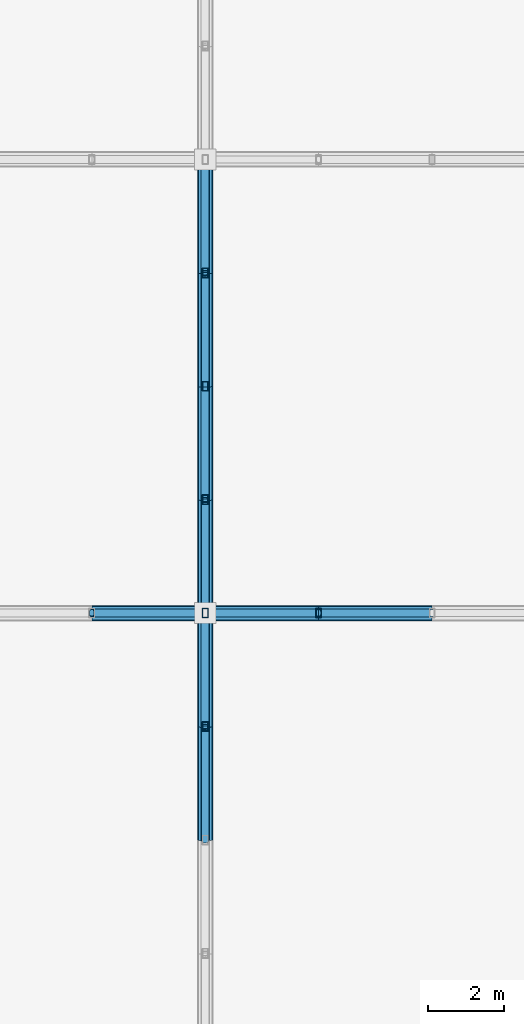
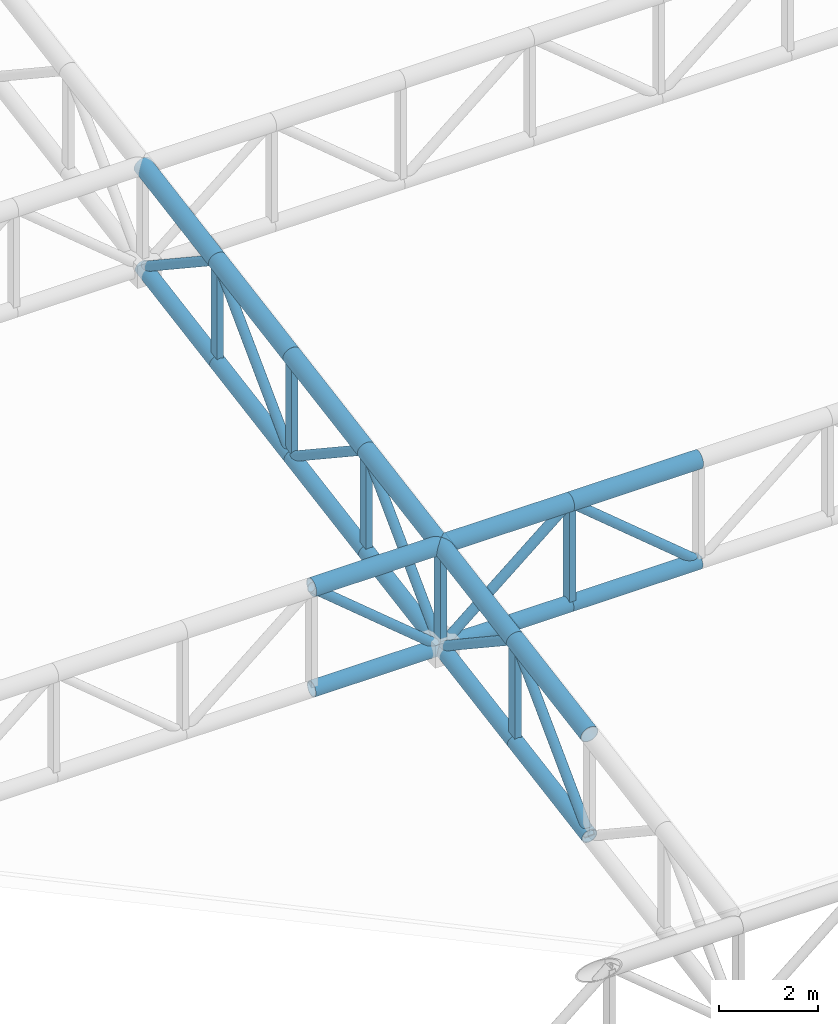
# One storey, part 67 of 239: 33 members.
"""IFC4 building model written with IfcOpenShell, lengths in metres."""

from ifc_helpers import new_model, si_unit, direction, frame, origin, origin_2d, place, context, subcontext, project, spatial, hollow_rectangle, hollow_circle, extrude, material, material_profile, profile_set, type_object, element, save


model = new_model("IFC4")

# Units and contexts
model_context = context("Model", 3, precision=1e-05, world=origin(), true_north=direction((0.0, 1.0)))
body_context = subcontext(model_context, "Body", "Model", "MODEL_VIEW")
ifc_project = project(units=[si_unit("LENGTHUNIT", "METRE"), si_unit("AREAUNIT", "SQUARE_METRE"), si_unit("VOLUMEUNIT", "CUBIC_METRE"), si_unit("PLANEANGLEUNIT", "RADIAN"), si_unit("MASSUNIT", "GRAM", prefix="KILO")], contexts=[model_context])

# Site, building, storey
site_placement = place(None, origin())
site = spatial("IfcSite", under=ifc_project, at=site_placement, CompositionType="ELEMENT")
building_placement = place(site_placement, origin())
building = spatial("IfcBuilding", under=site, at=building_placement, Name="Kaldris Quays Convention Centre", CompositionType="ELEMENT")
storey_placement = place(building_placement, frame((0.0, 0.0, 11.39990234375)))
storey = spatial("IfcBuildingStorey", under=building, at=storey_placement, Name="L02", CompositionType="ELEMENT", Elevation=11.39990234375)

# Members
ifc_material = material(Name="Steel S355J2H", Category="steel")
ifc_material_profile_1 = material_profile(ifc_material, hollow_circle(Radius=0.203125, WallThickness=0.01611328125, at=origin_2d()), Name="CHS 406.4x16")
ifc_profile_set_1 = profile_set([ifc_material_profile_1], Name="Steel S355J2H")
member_type_1 = type_object("IfcMemberType", Name="STRUCTURAL MEMBER SC01", PredefinedType="CHORD", material=ifc_profile_set_1)
for number, where, z_axis, x_axis, name in (
    (1, (107.0, 68.0, 11.72900390625), (1.0, 0.0, 0.0), (0.0, 1.0, 0.0), "SF-V1 Top Chord X 72"),
    (2, (110.0, 68.0, 11.72900390625), (1.0, 0.0, 0.0), (0.0, 1.0, 0.0), "SF-V1 Top Chord X 73"),
    (3, (113.0, 68.0, 11.72900390625), (1.0, 0.0, 0.0), (0.0, 1.0, 0.0), "SF-V1 Top Chord X 74"),
):
    element("IfcMember", number, at=place(storey_placement, frame(where, z_axis=z_axis, x_axis=x_axis)), inside=storey, type_object=member_type_1, Name=name, PredefinedType="CHORD", context=body_context, shape_type="SweptSolid", body=[
        extrude(hollow_circle(Radius=0.203125, WallThickness=0.01611328125, at=origin_2d()), origin(), (0.0, 0.0, 1.0), 3.0),
    ])
for number, where, z_axis, x_axis, name in (
    (4, (110.0, 62.0, 10.700439453125), (0.0, 0.985615766076, 0.169001661712), (-1.0, 0.0, 0.0), "SF-V1 Top Chord Y 479"),
    (5, (110.0, 65.0, 11.21484375), (0.0, 0.98562912375, 0.168923741424), (-1.0, 0.0, 0.0), "SF-V1 Top Chord Y 480"),
    (6, (110.0, 68.0, 11.72900390625), (0.0, 0.985615766076, 0.169001661712), (-1.0, 0.0, 0.0), "SF-V1 Top Chord Y 481"),
    (7, (110.0, 71.0, 12.243408203125), (0.0, 0.98562912375, 0.168923741424), (-1.0, 0.0, 0.0), "SF-V1 Top Chord Y 482"),
    (8, (110.0, 74.0, 12.757568359375), (0.0, 0.985615766076, 0.169001661712), (-1.0, 0.0, 0.0), "SF-V1 Top Chord Y 483"),
    (9, (110.0, 77.0, 13.27197265625), (0.0, 0.98562912375, 0.168923741424), (-1.0, 0.0, 0.0), "SF-V1 Top Chord Y 484"),
):
    element("IfcMember", number, at=place(storey_placement, frame(where, z_axis=z_axis, x_axis=x_axis)), inside=storey, type_object=member_type_1, Name=name, PredefinedType="CHORD", context=body_context, shape_type="SweptSolid", body=[
        extrude(hollow_circle(Radius=0.203125, WallThickness=0.01611328125, at=origin_2d()), origin(), (0.0, 0.0, 1.0), 3.043701171875),
    ])
ifc_material_profile_2 = material_profile(ifc_material, hollow_circle(Radius=0.177734375, WallThickness=0.01611328125, at=origin_2d()), Name="CHS 355.6x16")
ifc_profile_set_2 = profile_set([ifc_material_profile_2], Name="Steel S355J2H")
member_type_2 = type_object("IfcMemberType", Name="STRUCTURAL MEMBER SC02", PredefinedType="CHORD", material=ifc_profile_set_2)
for number, where, z_axis, x_axis, name in (
    (10, (107.0, 68.0, 9.22900390625), (1.0, 0.0, 0.0), (0.0, 1.0, 0.0), "SF-V1 Bottom Chord X 72"),
    (11, (110.0, 68.0, 9.22900390625), (1.0, 0.0, 0.0), (0.0, 1.0, 0.0), "SF-V1 Bottom Chord X 73"),
    (12, (113.0, 68.0, 9.22900390625), (1.0, 0.0, 0.0), (0.0, 1.0, 0.0), "SF-V1 Bottom Chord X 74"),
):
    element("IfcMember", number, at=place(storey_placement, frame(where, z_axis=z_axis, x_axis=x_axis)), inside=storey, type_object=member_type_2, Name=name, PredefinedType="CHORD", context=body_context, shape_type="SweptSolid", body=[
        extrude(hollow_circle(Radius=0.177734375, WallThickness=0.01611328125, at=origin_2d()), origin(), (0.0, 0.0, 1.0), 3.0),
    ])
for number, where, z_axis, x_axis, name in (
    (13, (110.0, 62.0, 8.200439453125), (0.0, 0.985615766076, 0.169001661712), (-1.0, 0.0, 0.0), "SF-V1 Bottom Chord Y 479"),
    (14, (110.0, 65.0, 8.71484375), (0.0, 0.98562912375, 0.168923741424), (-1.0, 0.0, 0.0), "SF-V1 Bottom Chord Y 480"),
    (15, (110.0, 68.0, 9.22900390625), (0.0, 0.985615766076, 0.169001661712), (-1.0, 0.0, 0.0), "SF-V1 Bottom Chord Y 481"),
    (16, (110.0, 71.0, 9.743408203125), (0.0, 0.98562912375, 0.168923741424), (-1.0, 0.0, 0.0), "SF-V1 Bottom Chord Y 482"),
    (17, (110.0, 74.0, 10.257568359375), (0.0, 0.985615766076, 0.169001661712), (-1.0, 0.0, 0.0), "SF-V1 Bottom Chord Y 483"),
    (18, (110.0, 77.0, 10.77197265625), (0.0, 0.98562912375, 0.168923741424), (-1.0, 0.0, 0.0), "SF-V1 Bottom Chord Y 484"),
):
    element("IfcMember", number, at=place(storey_placement, frame(where, z_axis=z_axis, x_axis=x_axis)), inside=storey, type_object=member_type_2, Name=name, PredefinedType="CHORD", context=body_context, shape_type="SweptSolid", body=[
        extrude(hollow_circle(Radius=0.177734375, WallThickness=0.01611328125, at=origin_2d()), origin(), (0.0, 0.0, 1.0), 3.043701171875),
    ])
ifc_material_profile_3 = material_profile(ifc_material, hollow_circle(Radius=0.109619140625, WallThickness=0.010009765625, at=origin_2d()), Name="CHS 219.1x10")
ifc_profile_set_3 = profile_set([ifc_material_profile_3], Name="Steel S355J2H")
member_type_3 = type_object("IfcMemberType", Name="STRUCTURAL MEMBER SWB1", PredefinedType="BRACE", material=ifc_profile_set_3)
for number, where, z_axis, x_axis, name in (
    (19, (110.0, 68.0, 9.22900390625), (-0.768221279597, 0.0, 0.640184399664), (0.0, -1.0, 0.0), "SF-V1 Web Diagonal X 72"),
    (20, (110.0, 68.0, 9.22900390625), (0.768221279597, 0.0, 0.640184399664), (0.0, 1.0, 0.0), "SF-V1 Web Diagonal X 73"),
    (21, (116.0, 68.0, 9.22900390625), (-0.768221279597, 0.0, 0.640184399664), (0.0, -1.0, 0.0), "SF-V1 Web Diagonal X 74"),
):
    element("IfcMember", number, at=place(storey_placement, frame(where, z_axis=z_axis, x_axis=x_axis)), inside=storey, type_object=member_type_3, Name=name, PredefinedType="BRACE", context=body_context, shape_type="SweptSolid", body=[
        extrude(hollow_circle(Radius=0.109619140625, WallThickness=0.010009765625, at=origin_2d()), origin(), (0.0, 0.0, 1.0), 3.905029296875),
    ])
member_1_placement = place(storey_placement, frame((110.0, 62.0, 8.200439453125), z_axis=(0.0, 0.705411261057, 0.708798245465), x_axis=(-1.0, 0.0, 0.0)))
element("IfcMember", 22, at=member_1_placement, inside=storey, type_object=member_type_3, Name="SF-V1 Web Diagonal Y 479", PredefinedType="BRACE", context=body_context, shape_type="SweptSolid", body=[
    extrude(hollow_circle(Radius=0.109619140625, WallThickness=0.010009765625, at=origin_2d()), origin(), (0.0, 0.0, 1.0), 4.2529296875),
])
member_2_placement = place(storey_placement, frame((110.0, 68.0, 9.22900390625), z_axis=(0.0, -0.833862389808, 0.551972385962), x_axis=(1.0, 0.0, 0.0)))
element("IfcMember", 23, at=member_2_placement, inside=storey, type_object=member_type_3, Name="SF-V1 Web Diagonal Y 480", PredefinedType="BRACE", context=body_context, shape_type="SweptSolid", body=[
    extrude(hollow_circle(Radius=0.109619140625, WallThickness=0.010009765625, at=origin_2d()), origin(), (0.0, 0.0, 1.0), 3.59765625),
])
member_3_placement = place(storey_placement, frame((110.0, 68.0, 9.22900390625), z_axis=(0.0, 0.705411261057, 0.708798245465), x_axis=(-1.0, 0.0, 0.0)))
element("IfcMember", 24, at=member_3_placement, inside=storey, type_object=member_type_3, Name="SF-V1 Web Diagonal Y 481", PredefinedType="BRACE", context=body_context, shape_type="SweptSolid", body=[
    extrude(hollow_circle(Radius=0.109619140625, WallThickness=0.010009765625, at=origin_2d()), origin(), (0.0, 0.0, 1.0), 4.2529296875),
])
member_4_placement = place(storey_placement, frame((110.0, 74.0, 10.257568359375), z_axis=(0.0, -0.833862389808, 0.551972385962), x_axis=(1.0, 0.0, 0.0)))
element("IfcMember", 25, at=member_4_placement, inside=storey, type_object=member_type_3, Name="SF-V1 Web Diagonal Y 482", PredefinedType="BRACE", context=body_context, shape_type="SweptSolid", body=[
    extrude(hollow_circle(Radius=0.109619140625, WallThickness=0.010009765625, at=origin_2d()), origin(), (0.0, 0.0, 1.0), 3.59765625),
])
member_5_placement = place(storey_placement, frame((110.0, 74.0, 10.257568359375), z_axis=(0.0, 0.705411261057, 0.708798245465), x_axis=(-1.0, 0.0, 0.0)))
element("IfcMember", 26, at=member_5_placement, inside=storey, type_object=member_type_3, Name="SF-V1 Web Diagonal Y 483", PredefinedType="BRACE", context=body_context, shape_type="SweptSolid", body=[
    extrude(hollow_circle(Radius=0.109619140625, WallThickness=0.010009765625, at=origin_2d()), origin(), (0.0, 0.0, 1.0), 4.2529296875),
])
member_6_placement = place(storey_placement, frame((110.0, 80.0, 11.2861328125), z_axis=(0.0, -0.833862389808, 0.551972385962), x_axis=(1.0, 0.0, 0.0)))
element("IfcMember", 27, at=member_6_placement, inside=storey, type_object=member_type_3, Name="SF-V1 Web Diagonal Y 484", PredefinedType="BRACE", context=body_context, shape_type="SweptSolid", body=[
    extrude(hollow_circle(Radius=0.109619140625, WallThickness=0.010009765625, at=origin_2d()), origin(), (0.0, 0.0, 1.0), 3.59765625),
])
ifc_material_profile_4 = material_profile(ifc_material, hollow_rectangle(XDim=0.14990234375, YDim=0.25, WallThickness=0.010009765625, at=origin_2d()), Name="RHS 250x150x10")
ifc_profile_set_4 = profile_set([ifc_material_profile_4], Name="Steel S355J2H")
member_type_4 = type_object("IfcMemberType", Name="STRUCTURAL MEMBER TTV1", PredefinedType="POST", material=ifc_profile_set_4)
for number, where, z_axis, x_axis, name in (
    (28, (110.0, 65.0, 8.71484375), (0.0, 0.0, 1.0), (1.0, 0.0, 0.0), "SF-V1 Space-Frame Post 349"),
    (29, (110.0, 68.0, 9.22900390625), (0.0, 0.0, 1.0), (1.0, 0.0, 0.0), "SF-V1 Space-Frame Post 350"),
    (30, (110.0, 71.0, 9.743408203125), (0.0, 0.0, 1.0), (1.0, 0.0, 0.0), "SF-V1 Space-Frame Post 351"),
    (31, (110.0, 74.0, 10.257568359375), (0.0, 0.0, 1.0), (1.0, 0.0, 0.0), "SF-V1 Space-Frame Post 352"),
    (32, (110.0, 77.0, 10.77197265625), (0.0, 0.0, 1.0), (1.0, 0.0, 0.0), "SF-V1 Space-Frame Post 353"),
    (33, (113.0, 68.0, 9.22900390625), (0.0, 0.0, 1.0), (1.0, 0.0, 0.0), "SF-V1 Space-Frame Post 376"),
):
    element("IfcMember", number, at=place(storey_placement, frame(where, z_axis=z_axis, x_axis=x_axis)), inside=storey, type_object=member_type_4, Name=name, PredefinedType="POST", context=body_context, shape_type="SweptSolid", body=[
        extrude(hollow_rectangle(XDim=0.14990234375, YDim=0.25, WallThickness=0.010009765625, at=origin_2d()), origin(), (0.0, 0.0, 1.0), 2.5),
    ])

save(model, "model.ifc")
